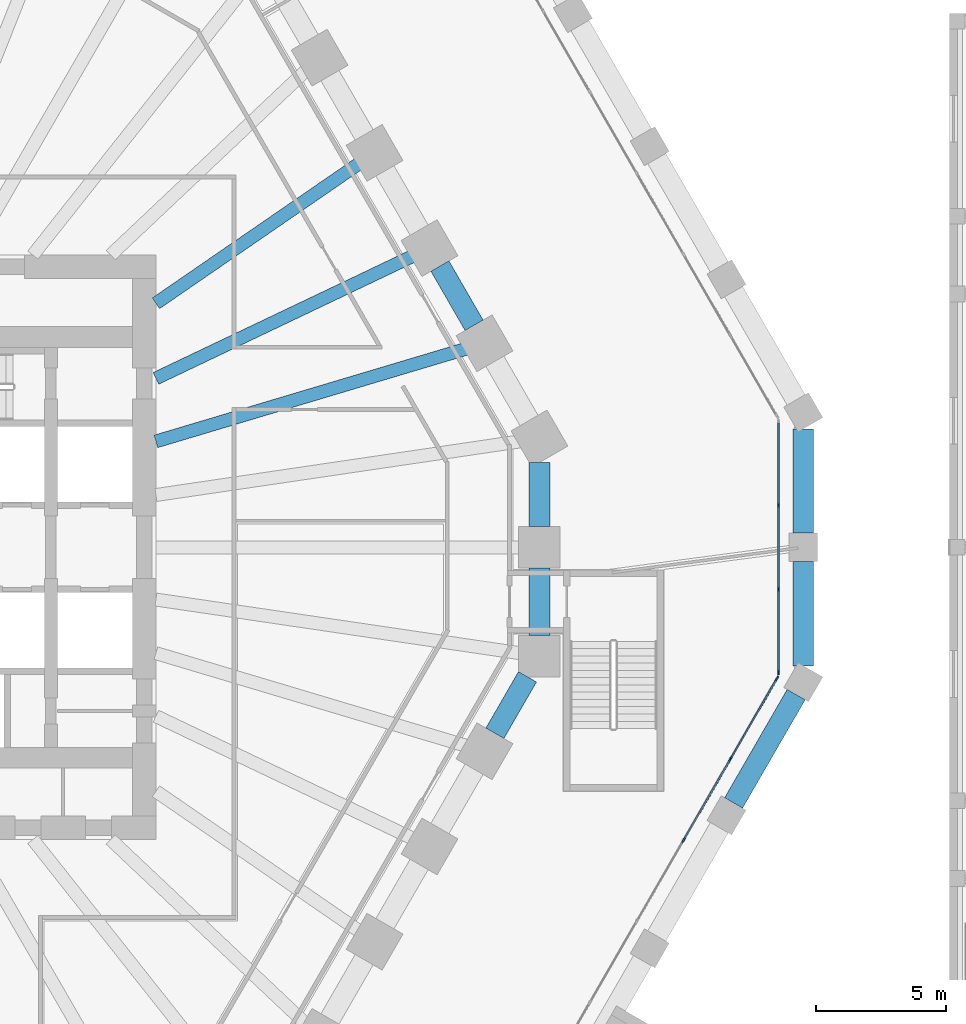
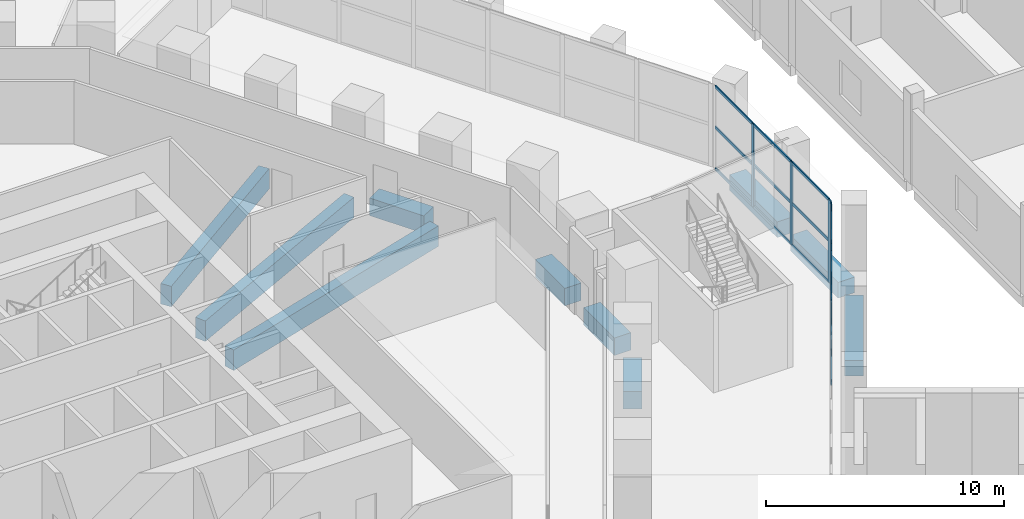
# One storey, part 9 of 38: 21 members, 10 beams, 2 elements without a shape of their own.
"""IFC4 building model written with IfcOpenShell, lengths in metres."""

from ifc_helpers import new_model, si_unit, direction, frame, origin, origin_2d, place, context, subcontext, project, spatial, rectangle, extrude, material, material_profile, profile_set, type_object, element, aggregate, save


model = new_model("IFC4")

# Units and contexts
model_context = context("Model", 3, precision=1e-05, world=origin(), true_north=direction((0.0, 1.0)))
body_context = subcontext(model_context, "Body", "Model", "MODEL_VIEW")
ifc_project = project(units=[si_unit("LENGTHUNIT", "METRE"), si_unit("AREAUNIT", "SQUARE_METRE"), si_unit("VOLUMEUNIT", "CUBIC_METRE"), si_unit("PLANEANGLEUNIT", "RADIAN"), si_unit("MASSUNIT", "GRAM", prefix="KILO")], contexts=[model_context])

# Site, building, storey
site_placement = place(None, origin())
site = spatial("IfcSite", under=ifc_project, at=site_placement, CompositionType="ELEMENT")
building_placement = place(site_placement, origin())
building = spatial("IfcBuilding", under=site, at=building_placement, Name="Frailejon Research Tower", CompositionType="ELEMENT")
storey_placement = place(building_placement, frame((0.0, 0.0, 5.60009765625)))
storey = spatial("IfcBuildingStorey", under=building, at=storey_placement, Name="L01", CompositionType="ELEMENT", Elevation=5.60009765625)

# Beams
ifc_material_1 = material(Name="Concrete C60/75", Category="concrete")
ifc_material_profile_1 = material_profile(ifc_material_1, rectangle(XDim=0.800048828125, YDim=0.800048828125, at=origin_2d()), Name="Base ring beam")
ifc_profile_set_1 = profile_set([ifc_material_profile_1], Name="Concrete C60/75")
beam_type_1 = type_object("IfcBeamType", Name="Base ring beam", PredefinedType="BEAM", material=ifc_profile_set_1)
for number, where, z_axis, x_axis, name in (
    (1, (38.569091796875, -4.56103515625, -0.75), (0.0, 1.0, 0.0), (-1.0, 0.0, 0.0), "Base ring beam"),
    (2, (38.569091796875, 0.550048828125, -0.75), (0.0, 1.0, 0.0), (-1.0, 0.0, 0.0), "Base ring beam"),
):
    element("IfcBeam", number, at=place(storey_placement, frame(where, z_axis=z_axis, x_axis=x_axis)), inside=storey, type_object=beam_type_1, Name=name, PredefinedType="BEAM", context=body_context, shape_type="SweptSolid", body=[
        extrude(rectangle(XDim=0.800048828125, YDim=0.800048828125, at=origin_2d()), origin(), (0.0, 0.0, 1.0), 4.010986328125),
    ])
beam_1_placement = place(storey_placement, frame((35.88720703125, -9.84130859375, -0.75), z_axis=(0.500028306193, 0.866009060579, 0.0), x_axis=(-0.866009060579, 0.500028306193, 0.0)))
element("IfcBeam", 3, at=beam_1_placement, inside=storey, type_object=beam_type_1, Name="Base ring beam", PredefinedType="BEAM", context=body_context, shape_type="SweptSolid", body=[
    extrude(rectangle(XDim=0.800048828125, YDim=0.800048828125, at=origin_2d()), origin(), (0.0, 0.0, 1.0), 4.813720703125),
])
ifc_material_2 = material(Name="Concrete C60/75", Category="concrete")
ifc_material_profile_2 = material_profile(ifc_material_2, rectangle(XDim=0.5, YDim=1.050048828125, at=origin_2d()), Name="Girder 500x1050")
ifc_profile_set_2 = profile_set([ifc_material_profile_2], Name="Concrete C60/75")
beam_type_2 = type_object("IfcBeamType", Name="Girder 500x1050", PredefinedType="BEAM", material=ifc_profile_set_2)
beam_2_placement = place(storey_placement, frame((25.652587890625, 7.66015625, -0.875), z_axis=(-0.958189747387, -0.286133549242, 0.0), x_axis=(0.286133549242, -0.958189747387, 0.0)))
element("IfcBeam", 4, at=beam_2_placement, inside=storey, type_object=beam_type_2, Name="Girder 500x1050", PredefinedType="BEAM", context=body_context, shape_type="SweptSolid", body=[
    extrude(rectangle(XDim=0.5, YDim=1.050048828125, at=origin_2d()), origin(), (0.0, 0.0, 1.0), 12.5263671875),
])
beam_3_placement = place(storey_placement, frame((23.591796875, 11.23681640625, -0.875), z_axis=(-0.902829780982, -0.429998123917, 0.0), x_axis=(0.429998123917, -0.902829780982, 0.0)))
element("IfcBeam", 5, at=beam_3_placement, inside=storey, type_object=beam_type_2, Name="Girder 500x1050", PredefinedType="BEAM", context=body_context, shape_type="SweptSolid", body=[
    extrude(rectangle(XDim=0.5, YDim=1.050048828125, at=origin_2d()), origin(), (0.0, 0.0, 1.0), 11.011962890625),
])
beam_4_placement = place(storey_placement, frame((21.52734375, 14.8125, -0.875), z_axis=(-0.823825821578, -0.566843025626, 0.0), x_axis=(0.566843025626, -0.823825821578, 0.0)))
element("IfcBeam", 6, at=beam_4_placement, inside=storey, type_object=beam_type_2, Name="Girder 500x1050", PredefinedType="BEAM", context=body_context, shape_type="SweptSolid", body=[
    extrude(rectangle(XDim=0.5, YDim=1.050048828125, at=origin_2d()), origin(), (0.0, 0.0, 1.0), 9.56201171875),
])
ifc_material_3 = material(Name="Concrete C60/75", Category="concrete")
ifc_material_profile_3 = material_profile(ifc_material_3, rectangle(XDim=0.800048828125, YDim=0.89990234375, at=origin_2d()), Name="Podium ring beam")
ifc_profile_set_3 = profile_set([ifc_material_profile_3], Name="Concrete C60/75")
beam_type_3 = type_object("IfcBeamType", Name="Podium ring beam", PredefinedType="BEAM", material=ifc_profile_set_3)
beam_5_placement = place(storey_placement, frame((28.412841796875, -3.3876953125, -0.800048828125), z_axis=(0.0, 1.0, 0.0), x_axis=(-1.0, 0.0, 0.0)))
element("IfcBeam", 7, at=beam_5_placement, inside=storey, type_object=beam_type_3, Name="Podium ring beam", PredefinedType="BEAM", context=body_context, shape_type="SweptSolid", body=[
    extrude(rectangle(XDim=0.800048828125, YDim=0.89990234375, at=origin_2d()), origin(), (0.0, 0.0, 1.0), 2.587646484375),
])
beam_6_placement = place(storey_placement, frame((28.412841796875, 0.800048828125, -0.800048828125), z_axis=(0.0, 1.0, 0.0), x_axis=(-1.0, 0.0, 0.0)))
element("IfcBeam", 8, at=beam_6_placement, inside=storey, type_object=beam_type_3, Name="Podium ring beam", PredefinedType="BEAM", context=body_context, shape_type="SweptSolid", body=[
    extrude(rectangle(XDim=0.800048828125, YDim=0.89990234375, at=origin_2d()), origin(), (0.0, 0.0, 1.0), 2.4638671875),
])
beam_7_placement = place(storey_placement, frame((25.896728515625, 8.54541015625, -0.800048828125), z_axis=(-0.499990112884, 0.866031112038, 0.0), x_axis=(-0.866031112038, -0.499990112884, 0.0)))
element("IfcBeam", 9, at=beam_7_placement, inside=storey, type_object=beam_type_3, Name="Podium ring beam", PredefinedType="BEAM", context=body_context, shape_type="SweptSolid", body=[
    extrude(rectangle(XDim=0.800048828125, YDim=0.89990234375, at=origin_2d()), origin(), (0.0, 0.0, 1.0), 2.6318359375),
])
beam_8_placement = place(storey_placement, frame((26.69677734375, -7.15966796875, -0.800048828125), z_axis=(0.500022970635, 0.866012141276, 0.0), x_axis=(-0.866012141276, 0.500022970635, 0.0)))
element("IfcBeam", 10, at=beam_8_placement, inside=storey, type_object=beam_type_3, Name="Podium ring beam", PredefinedType="BEAM", context=body_context, shape_type="SweptSolid", body=[
    extrude(rectangle(XDim=0.800048828125, YDim=0.89990234375, at=origin_2d()), origin(), (0.0, 0.0, 1.0), 2.50830078125),
])

# Curtain wall, members
ifc_material_4 = material(Name="Aluminium curtain wall", Category="aluminium")
curtain_wall_type = type_object("IfcCurtainWallType", Name="Podium stick curtain wall system", PredefinedType="NOTDEFINED", material=ifc_material_4)
curtain_wall_1_placement = place(storey_placement, origin())
curtain_wall_1 = element("IfcCurtainWall", 11, at=curtain_wall_1_placement, inside=storey, type_object=curtain_wall_type, Name="Curtain wall L01", PredefinedType="NOTDEFINED")
ifc_material_5 = material(Name="Aluminium extrusion", Category="aluminium")
ifc_material_profile_4 = material_profile(ifc_material_5, rectangle(XDim=0.06005859375, YDim=0.199951171875, at=origin_2d()), Name="Podium stick curtain wall mullion 60x200")
ifc_profile_set_4 = profile_set([ifc_material_profile_4], Name="Aluminium extrusion")
member_type_1 = type_object("IfcMemberType", Name="Podium stick curtain wall mullion 60x200", PredefinedType="MULLION", material=ifc_profile_set_4)
member_1_placement = place(storey_placement, frame((37.619140625, -4.8115234375, 0.0), z_axis=(0.0, 0.0, 1.0), x_axis=(-1.0, 0.0, 0.0)))
member_1 = element("IfcMember", 12, at=member_1_placement, type_object=member_type_1, Name="CW2-021 mullion 1", PredefinedType="MULLION", context=body_context, shape_type="SweptSolid", body=[
    extrude(rectangle(XDim=0.06005859375, YDim=0.199951171875, at=origin_2d()), origin(), (0.0, 0.0, 1.0), 4.25),
])
member_2_placement = place(storey_placement, frame((37.619140625, -1.61376953125, 0.0), z_axis=(0.0, 0.0, 1.0), x_axis=(-1.0, 0.0, 0.0)))
member_2 = element("IfcMember", 13, at=member_2_placement, type_object=member_type_1, Name="CW2-021 mullion 2", PredefinedType="MULLION", context=body_context, shape_type="SweptSolid", body=[
    extrude(rectangle(XDim=0.06005859375, YDim=0.199951171875, at=origin_2d()), origin(), (0.0, 0.0, 1.0), 4.25),
])
member_3_placement = place(storey_placement, frame((37.619140625, 1.61376953125, 0.0), z_axis=(0.0, 0.0, 1.0), x_axis=(-1.0, 0.0, 0.0)))
member_3 = element("IfcMember", 14, at=member_3_placement, type_object=member_type_1, Name="CW2-021 mullion 3", PredefinedType="MULLION", context=body_context, shape_type="SweptSolid", body=[
    extrude(rectangle(XDim=0.06005859375, YDim=0.199951171875, at=origin_2d()), origin(), (0.0, 0.0, 1.0), 4.25),
])

curtain_wall_2_placement = place(storey_placement, origin())
curtain_wall_2 = element("IfcCurtainWall", 15, at=curtain_wall_2_placement, inside=storey, type_object=curtain_wall_type, Name="Curtain wall L01", PredefinedType="NOTDEFINED")
member_4_placement = place(storey_placement, frame((33.961669921875, -11.276611328125, 0.0), z_axis=(0.0, 0.0, 1.0), x_axis=(-0.86602632934, 0.499998396888, 0.0)))
member_4 = element("IfcMember", 16, at=member_4_placement, type_object=member_type_1, Name="CW2-032 mullion 7", PredefinedType="MULLION", context=body_context, shape_type="SweptSolid", body=[
    extrude(rectangle(XDim=0.06005859375, YDim=0.199951171875, at=origin_2d()), origin(), (0.0, 0.0, 1.0), 4.25),
])
member_5_placement = place(storey_placement, frame((35.765380859375, -8.15234375, 0.0), z_axis=(0.0, 0.0, 1.0), x_axis=(-0.86602632934, 0.499998396888, 0.0)))
member_5 = element("IfcMember", 17, at=member_5_placement, type_object=member_type_1, Name="CW2-032 mullion 8", PredefinedType="MULLION", context=body_context, shape_type="SweptSolid", body=[
    extrude(rectangle(XDim=0.06005859375, YDim=0.199951171875, at=origin_2d()), origin(), (0.0, 0.0, 1.0), 4.25),
])
member_6_placement = place(storey_placement, frame((37.55419921875, -5.05419921875, 0.0), z_axis=(0.0, 0.0, 1.0), x_axis=(-0.86602632934, 0.499998396888, 0.0)))
member_6 = element("IfcMember", 18, at=member_6_placement, type_object=member_type_1, Name="CW2-032 mullion 9", PredefinedType="MULLION", context=body_context, shape_type="SweptSolid", body=[
    extrude(rectangle(XDim=0.06005859375, YDim=0.199951171875, at=origin_2d()), origin(), (0.0, 0.0, 1.0), 4.25),
])

# Member
ifc_material_6 = material(Name="Aluminium extrusion", Category="aluminium")
ifc_material_profile_5 = material_profile(ifc_material_6, rectangle(XDim=0.06005859375, YDim=0.14990234375, at=origin_2d()), Name="Podium stick curtain wall transom 60x150")
ifc_profile_set_5 = profile_set([ifc_material_profile_5], Name="Aluminium extrusion")
member_type_2 = type_object("IfcMemberType", Name="Podium stick curtain wall transom 60x150", PredefinedType="USERDEFINED", material=ifc_profile_set_5)
member_7_placement = place(storey_placement, frame((37.619140625, -4.781494140625, 0.02978515625), z_axis=(0.0, 1.0, 0.0), x_axis=(-1.0, 0.0, 0.0)))
member_7 = element("IfcMember", 19, at=member_7_placement, type_object=member_type_2, Name="CW2-021 transom 1.1", ObjectType="TRANSOM", PredefinedType="USERDEFINED", context=body_context, shape_type="SweptSolid", body=[
    extrude(rectangle(XDim=0.06005859375, YDim=0.14990234375, at=origin_2d()), origin(), (0.0, 0.0, 1.0), 3.1376953125),
])

member_8_placement = place(storey_placement, frame((37.619140625, -4.781494140625, 2.14990234375), z_axis=(0.0, 1.0, 0.0), x_axis=(-1.0, 0.0, 0.0)))
member_8 = element("IfcMember", 20, at=member_8_placement, type_object=member_type_2, Name="CW2-021 transom 1.2", ObjectType="TRANSOM", PredefinedType="USERDEFINED", context=body_context, shape_type="SweptSolid", body=[
    extrude(rectangle(XDim=0.06005859375, YDim=0.14990234375, at=origin_2d()), origin(), (0.0, 0.0, 1.0), 3.1376953125),
])

member_9_placement = place(storey_placement, frame((37.619140625, -4.781494140625, 4.219970703125), z_axis=(0.0, 1.0, 0.0), x_axis=(-1.0, 0.0, 0.0)))
member_9 = element("IfcMember", 21, at=member_9_placement, type_object=member_type_2, Name="CW2-021 transom 1.3", ObjectType="TRANSOM", PredefinedType="USERDEFINED", context=body_context, shape_type="SweptSolid", body=[
    extrude(rectangle(XDim=0.06005859375, YDim=0.14990234375, at=origin_2d()), origin(), (0.0, 0.0, 1.0), 3.1376953125),
])

member_10_placement = place(storey_placement, frame((37.619140625, -1.583984375, 0.02978515625), z_axis=(0.0, 1.0, 0.0), x_axis=(-1.0, 0.0, 0.0)))
member_10 = element("IfcMember", 22, at=member_10_placement, type_object=member_type_2, Name="CW2-021 transom 2.1", ObjectType="TRANSOM", PredefinedType="USERDEFINED", context=body_context, shape_type="SweptSolid", body=[
    extrude(rectangle(XDim=0.06005859375, YDim=0.14990234375, at=origin_2d()), origin(), (0.0, 0.0, 1.0), 3.16796875),
])

member_11_placement = place(storey_placement, frame((37.619140625, -1.583984375, 2.14990234375), z_axis=(0.0, 1.0, 0.0), x_axis=(-1.0, 0.0, 0.0)))
member_11 = element("IfcMember", 23, at=member_11_placement, type_object=member_type_2, Name="CW2-021 transom 2.2", ObjectType="TRANSOM", PredefinedType="USERDEFINED", context=body_context, shape_type="SweptSolid", body=[
    extrude(rectangle(XDim=0.06005859375, YDim=0.14990234375, at=origin_2d()), origin(), (0.0, 0.0, 1.0), 3.16796875),
])

member_12_placement = place(storey_placement, frame((37.619140625, -1.583984375, 4.219970703125), z_axis=(0.0, 1.0, 0.0), x_axis=(-1.0, 0.0, 0.0)))
member_12 = element("IfcMember", 24, at=member_12_placement, type_object=member_type_2, Name="CW2-021 transom 2.3", ObjectType="TRANSOM", PredefinedType="USERDEFINED", context=body_context, shape_type="SweptSolid", body=[
    extrude(rectangle(XDim=0.06005859375, YDim=0.14990234375, at=origin_2d()), origin(), (0.0, 0.0, 1.0), 3.16796875),
])

member_13_placement = place(storey_placement, frame((37.619140625, 1.643798828125, 0.02978515625), z_axis=(0.0, 1.0, 0.0), x_axis=(-1.0, 0.0, 0.0)))
member_13 = element("IfcMember", 25, at=member_13_placement, type_object=member_type_2, Name="CW2-021 transom 3.1", ObjectType="TRANSOM", PredefinedType="USERDEFINED", context=body_context, shape_type="SweptSolid", body=[
    extrude(rectangle(XDim=0.06005859375, YDim=0.14990234375, at=origin_2d()), origin(), (0.0, 0.0, 1.0), 3.1376953125),
])

member_14_placement = place(storey_placement, frame((37.619140625, 1.643798828125, 2.14990234375), z_axis=(0.0, 1.0, 0.0), x_axis=(-1.0, 0.0, 0.0)))
member_14 = element("IfcMember", 26, at=member_14_placement, type_object=member_type_2, Name="CW2-021 transom 3.2", ObjectType="TRANSOM", PredefinedType="USERDEFINED", context=body_context, shape_type="SweptSolid", body=[
    extrude(rectangle(XDim=0.06005859375, YDim=0.14990234375, at=origin_2d()), origin(), (0.0, 0.0, 1.0), 3.1376953125),
])

member_15_placement = place(storey_placement, frame((37.619140625, 1.643798828125, 4.219970703125), z_axis=(0.0, 1.0, 0.0), x_axis=(-1.0, 0.0, 0.0)))
member_15 = element("IfcMember", 27, at=member_15_placement, type_object=member_type_2, Name="CW2-021 transom 3.3", ObjectType="TRANSOM", PredefinedType="USERDEFINED", context=body_context, shape_type="SweptSolid", body=[
    extrude(rectangle(XDim=0.06005859375, YDim=0.14990234375, at=origin_2d()), origin(), (0.0, 0.0, 1.0), 3.1376953125),
])

aggregate(curtain_wall_1, [member_1, member_2, member_3, member_7, member_8, member_9, member_10, member_11, member_12, member_13, member_14, member_15])

member_16_placement = place(storey_placement, frame((33.976806640625, -11.250732421875, 0.02978515625), z_axis=(0.499980603476, 0.866036602083, 0.0), x_axis=(-0.866036602083, 0.499980603476, 0.0)))
member_16 = element("IfcMember", 28, at=member_16_placement, type_object=member_type_2, Name="CW2-032 transom 7.1", ObjectType="TRANSOM", PredefinedType="USERDEFINED", context=body_context, shape_type="SweptSolid", body=[
    extrude(rectangle(XDim=0.06005859375, YDim=0.14990234375, at=origin_2d()), origin(), (0.0, 0.0, 1.0), 3.547607421875),
])

member_17_placement = place(storey_placement, frame((33.976806640625, -11.250732421875, 2.14990234375), z_axis=(0.499980603476, 0.866036602083, 0.0), x_axis=(-0.866036602083, 0.499980603476, 0.0)))
member_17 = element("IfcMember", 29, at=member_17_placement, type_object=member_type_2, Name="CW2-032 transom 7.2", ObjectType="TRANSOM", PredefinedType="USERDEFINED", context=body_context, shape_type="SweptSolid", body=[
    extrude(rectangle(XDim=0.06005859375, YDim=0.14990234375, at=origin_2d()), origin(), (0.0, 0.0, 1.0), 3.547607421875),
])

member_18_placement = place(storey_placement, frame((33.976806640625, -11.250732421875, 4.219970703125), z_axis=(0.499980603476, 0.866036602083, 0.0), x_axis=(-0.866036602083, 0.499980603476, 0.0)))
member_18 = element("IfcMember", 30, at=member_18_placement, type_object=member_type_2, Name="CW2-032 transom 7.3", ObjectType="TRANSOM", PredefinedType="USERDEFINED", context=body_context, shape_type="SweptSolid", body=[
    extrude(rectangle(XDim=0.06005859375, YDim=0.14990234375, at=origin_2d()), origin(), (0.0, 0.0, 1.0), 3.547607421875),
])

member_19_placement = place(storey_placement, frame((35.780517578125, -8.12646484375, 0.02978515625), z_axis=(0.499990804263, 0.866030712881, 0.0), x_axis=(-0.866030712881, 0.499990804263, 0.0)))
member_19 = element("IfcMember", 31, at=member_19_placement, type_object=member_type_2, Name="CW2-032 transom 8.1", ObjectType="TRANSOM", PredefinedType="USERDEFINED", context=body_context, shape_type="SweptSolid", body=[
    extrude(rectangle(XDim=0.06005859375, YDim=0.14990234375, at=origin_2d()), origin(), (0.0, 0.0, 1.0), 3.517578125),
])

member_20_placement = place(storey_placement, frame((35.780517578125, -8.12646484375, 2.14990234375), z_axis=(0.499990804263, 0.866030712881, 0.0), x_axis=(-0.866030712881, 0.499990804263, 0.0)))
member_20 = element("IfcMember", 32, at=member_20_placement, type_object=member_type_2, Name="CW2-032 transom 8.2", ObjectType="TRANSOM", PredefinedType="USERDEFINED", context=body_context, shape_type="SweptSolid", body=[
    extrude(rectangle(XDim=0.06005859375, YDim=0.14990234375, at=origin_2d()), origin(), (0.0, 0.0, 1.0), 3.517578125),
])

member_21_placement = place(storey_placement, frame((35.780517578125, -8.12646484375, 4.219970703125), z_axis=(0.499990804263, 0.866030712881, 0.0), x_axis=(-0.866030712881, 0.499990804263, 0.0)))
member_21 = element("IfcMember", 33, at=member_21_placement, type_object=member_type_2, Name="CW2-032 transom 8.3", ObjectType="TRANSOM", PredefinedType="USERDEFINED", context=body_context, shape_type="SweptSolid", body=[
    extrude(rectangle(XDim=0.06005859375, YDim=0.14990234375, at=origin_2d()), origin(), (0.0, 0.0, 1.0), 3.517578125),
])

aggregate(curtain_wall_2, [member_4, member_5, member_6, member_16, member_17, member_18, member_19, member_20, member_21])

save(model, "model.ifc")
